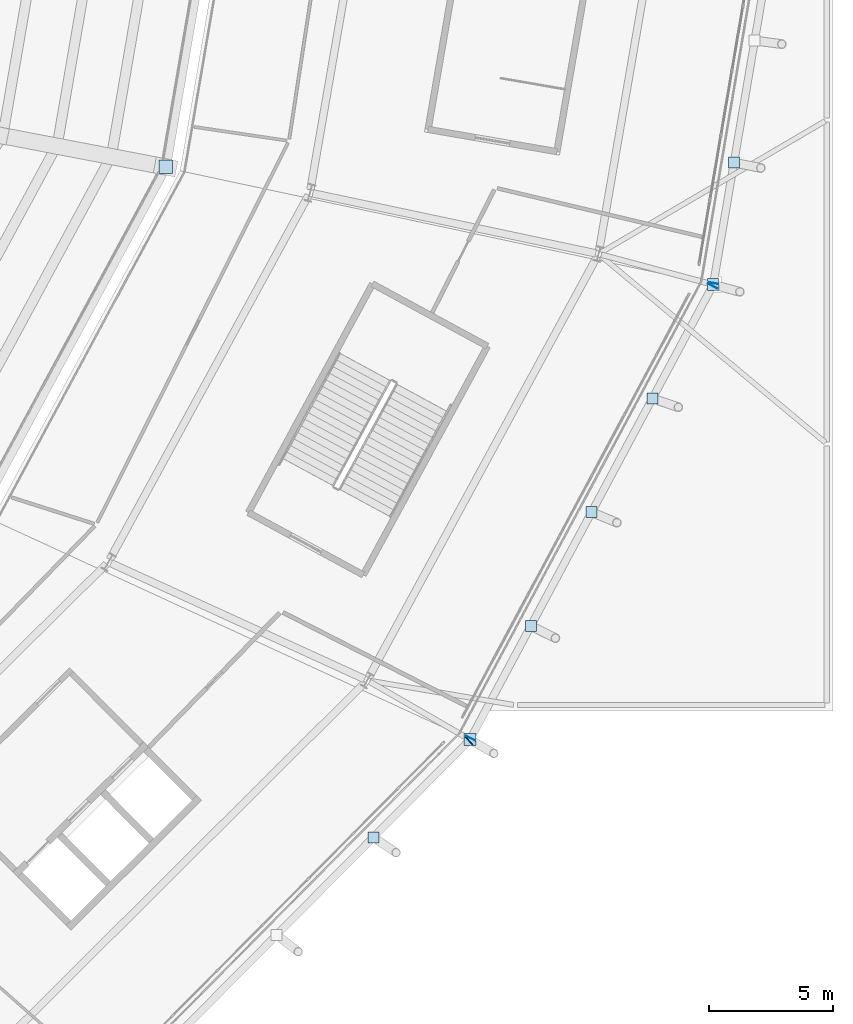
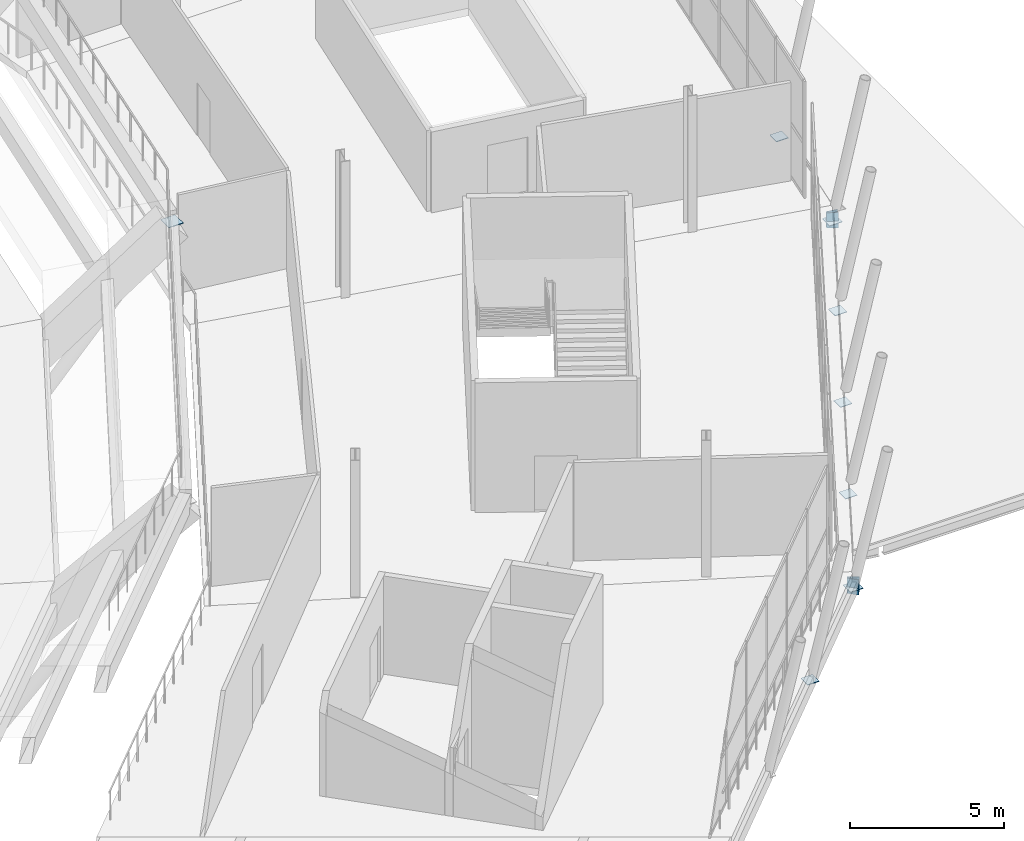
# One storey, part 85 of 126: 12 plates.
"""IFC4 building model written with IfcOpenShell, lengths in metres."""

from ifc_helpers import new_model, si_unit, direction, frame, origin, origin_2d, place, context, subcontext, project, spatial, rectangle, extrude, material, layer, layer_set, type_object, element, save


model = new_model("IFC4")

# Units and contexts
model_context = context("Model", 3, precision=1e-05, world=origin(), true_north=direction((0.0, 1.0)))
body_context = subcontext(model_context, "Body", "Model", "MODEL_VIEW")
ifc_project = project(units=[si_unit("LENGTHUNIT", "METRE"), si_unit("AREAUNIT", "SQUARE_METRE"), si_unit("VOLUMEUNIT", "CUBIC_METRE"), si_unit("PLANEANGLEUNIT", "RADIAN"), si_unit("MASSUNIT", "GRAM", prefix="KILO")], contexts=[model_context])

# Site, building, storey
site_placement = place(None, origin())
site = spatial("IfcSite", under=ifc_project, at=site_placement, CompositionType="ELEMENT")
building_placement = place(site_placement, origin())
building = spatial("IfcBuilding", under=site, at=building_placement, Name="Zlatoyarsky Gate Stadium", CompositionType="ELEMENT")
storey_placement = place(building_placement, frame((0.0, 0.0, 20.800048828125)))
storey = spatial("IfcBuildingStorey", under=building, at=storey_placement, Name="L04", CompositionType="ELEMENT", Elevation=20.800048828125)

# Plates
ifc_material = material(Name="Steel S355", Category="steel")
ifc_layer = layer(ifc_material, 0.02392578125)
ifc_layer_set = layer_set([ifc_layer], Name="Steel S355")
plate_type = type_object("IfcPlateType", Name="STEEL HOLLOW CHORD SPLICE SHEET 24", PredefinedType="SHEET", material=ifc_layer_set)
for number, where, z_axis, x_axis, name in (
    (1, (195.62890625, 42.072509765625, -0.85009765625), (0.0, 0.0, 1.0), (0.703590883794, 0.71060528301, 0.0), "Hollow end cap ND-SP1 CAP-L04-SPD-21 B"),
    (2, (195.69921875, 42.168212890625, -0.85009765625), (0.0, 0.0, 1.0), (0.471375588462, 0.881932568059, 0.0), "Hollow end cap ND-SP1 CAP-L04-SPD-22 A"),
    (3, (205.409912109375, 60.33642578125, -0.85009765625), (0.0, 0.0, 1.0), (0.471375588462, 0.881932568059, 0.0), "Hollow end cap ND-SP1 CAP-L04-SPD-22 B"),
):
    element("IfcPlate", number, at=place(storey_placement, frame(where, z_axis=z_axis, x_axis=x_axis)), inside=storey, type_object=plate_type, Name=name, PredefinedType="SHEET", context=body_context, shape_type="SweptSolid", body=[
        extrude(rectangle(XDim=0.02392578125, YDim=0.39990234375, at=origin_2d()), origin(), (0.0, 0.0, 1.0), 0.60009765625),
    ])
plate_1_placement = place(storey_placement, frame((195.6708984375, 42.115234375, -0.612060546875), z_axis=(0.0, 0.0, 1.0), x_axis=(1.0, 0.0, 0.0)))
element("IfcPlate", 4, at=plate_1_placement, inside=storey, type_object=plate_type, Name="Node closure plate ND-SP1 NCAP-L04-RSTR-22", PredefinedType="SHEET", context=body_context, shape_type="SweptSolid", body=[
    extrude(rectangle(XDim=0.47998046875, YDim=0.47998046875, at=origin_2d()), origin(), (0.0, 0.0, 1.0), 0.02392578125),
])
plate_2_placement = place(storey_placement, frame((205.4482421875, 60.448486328125, -0.85009765625), z_axis=(0.0, 0.0, 1.0), x_axis=(0.167478129765, 0.985875791391, 0.0)))
element("IfcPlate", 5, at=plate_2_placement, inside=storey, type_object=plate_type, Name="Hollow end cap ND-SP1 CAP-L04-SPD-23 A", PredefinedType="SHEET", context=body_context, shape_type="SweptSolid", body=[
    extrude(rectangle(XDim=0.02392578125, YDim=0.39990234375, at=origin_2d()), origin(), (0.0, 0.0, 1.0), 0.60009765625),
])
plate_3_placement = place(storey_placement, frame((205.438232421875, 60.389404296875, -0.612060546875), z_axis=(0.0, 0.0, 1.0), x_axis=(1.0, 0.0, 0.0)))
element("IfcPlate", 6, at=plate_3_placement, inside=storey, type_object=plate_type, Name="Node closure plate ND-SP1 NCAP-L04-RSTR-23", PredefinedType="SHEET", context=body_context, shape_type="SweptSolid", body=[
    extrude(rectangle(XDim=0.47998046875, YDim=0.47998046875, at=origin_2d()), origin(), (0.0, 0.0, 1.0), 0.02392578125),
])
plate_4_placement = place(storey_placement, frame((183.4443359375, 65.117919921875, 4.177978515625), z_axis=(0.0, 0.0, 1.0), x_axis=(1.0, 0.0, 0.0)))
element("IfcPlate", 7, at=plate_4_placement, inside=storey, type_object=plate_type, Name="Node closure plate ND-SP1 NCAP-UTOP-23", PredefinedType="SHEET", context=body_context, shape_type="SweptSolid", body=[
    extrude(rectangle(XDim=0.5400390625, YDim=0.5400390625, at=origin_2d()), origin(), (0.0, 0.0, 1.0), 0.02392578125),
])
for number, where, z_axis, x_axis, name in (
    (8, (191.78662109375, 38.192138671875, -0.56201171875), (0.0, 0.0, 1.0), (1.0, 0.0, 0.0), "Node closure plate ND-SP1 NCAP-RIB-21-3-2T"),
    (9, (198.11279296875, 46.683837890625, -0.56201171875), (0.0, 0.0, 1.0), (1.0, 0.0, 0.0), "Node closure plate ND-SP1 NCAP-RIB-22-1-2T"),
    (10, (200.5546875, 51.252197265625, -0.56201171875), (0.0, 0.0, 1.0), (1.0, 0.0, 0.0), "Node closure plate ND-SP1 NCAP-RIB-22-2-2T"),
    (11, (202.996337890625, 55.82080078125, -0.56201171875), (0.0, 0.0, 1.0), (1.0, 0.0, 0.0), "Node closure plate ND-SP1 NCAP-RIB-22-3-2T"),
    (12, (206.27099609375, 65.2919921875, -0.56201171875), (0.0, 0.0, 1.0), (1.0, 0.0, 0.0), "Node closure plate ND-SP1 NCAP-RIB-23-1-2T"),
):
    element("IfcPlate", number, at=place(storey_placement, frame(where, z_axis=z_axis, x_axis=x_axis)), inside=storey, type_object=plate_type, Name=name, PredefinedType="SHEET", context=body_context, shape_type="SweptSolid", body=[
        extrude(rectangle(XDim=0.43994140625, YDim=0.43994140625, at=origin_2d()), origin(), (0.0, 0.0, 1.0), 0.02392578125),
    ])

save(model, "model.ifc")
